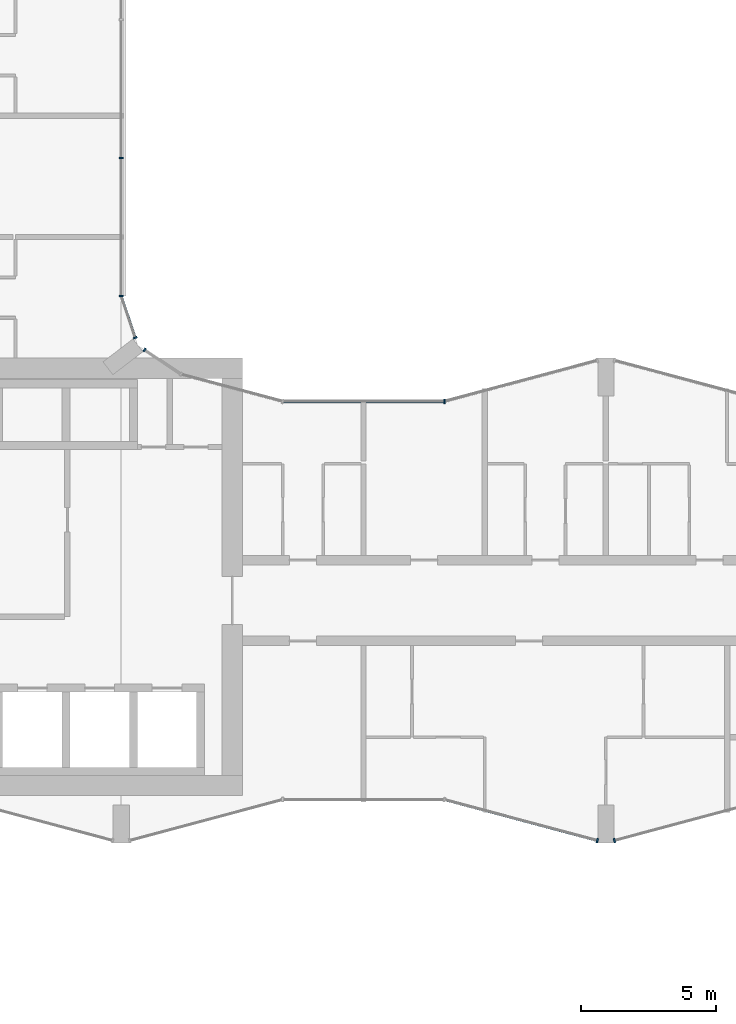
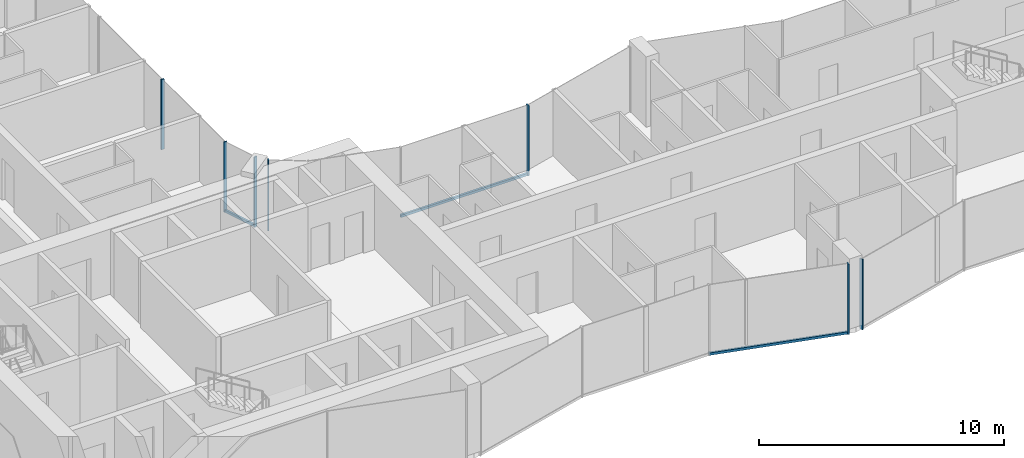
# One storey, part 4 of 24: 10 members, 6 elements without a shape of their own.
"""IFC4 building model written with IfcOpenShell, lengths in metres."""

import ifcopenshell
import ifcopenshell.guid

model = None  # the IFC model being written
_history = None  # IfcOwnerHistory: only IFC2X3 demands one
_inside = {}  # id of a spatial element -> (the spatial element, [elements in it])
_under = {}  # id of a project, library or spatial element -> (it, [spatial elements below it])
_declared = {}  # id of a project -> (the project, [libraries it declares])
_typed = {}  # id of a type object -> (the type object, [elements of that type])
_made_of = {}  # id of a material, layer set ... -> (it, [elements and type objects made of it])


def new_model(schema):
    """Start an empty IFC model of exactly this schema.

    Asked for "IFC4X3", IfcOpenShell would pick the latest addendum, in which some entities
    have other attributes; the version numbers below select the first issue.
    IFC2X3 requires an IfcOwnerHistory on every rooted entity: one is made here for all.
    """
    global model, _history
    if schema == "IFC4X3":
        model = ifcopenshell.file(schema_version=(4, 3, 0, 0))
    else:
        model = ifcopenshell.file(schema=schema)
    _inside.clear()
    _under.clear()
    _declared.clear()
    _typed.clear()
    _made_of.clear()
    _history = None
    if model.schema == "IFC2X3":
        org = make("IfcOrganization", Name="unknown")
        user = make(
            "IfcPersonAndOrganization",
            ThePerson=make("IfcPerson", FamilyName="unknown"),
            TheOrganization=org,
        )
        app = make(
            "IfcApplication",
            ApplicationDeveloper=org,
            Version="unknown",
            ApplicationFullName="unknown",
            ApplicationIdentifier="unknown",
        )
        _history = make(
            "IfcOwnerHistory",
            OwningUser=user,
            OwningApplication=app,
            ChangeAction="ADDED",
            CreationDate=0,
        )
    return model


def make(cls, **values):
    """One entity of the class cls with the attributes given. An attribute that is None is left unset."""
    return model.create_entity(
        cls, **{name: value for name, value in values.items() if value is not None}
    )


def rooted(cls, **values):
    """An entity with a GlobalId (a new one), such as an element, a storey or a relation."""
    return make(cls, GlobalId=ifcopenshell.guid.new(), OwnerHistory=_history, **values)


def si_unit(unit_type, name, prefix=None):
    """IfcSIUnit, for example si_unit("LENGTHUNIT", "METRE", prefix="MILLI")."""
    return make("IfcSIUnit", UnitType=unit_type, Prefix=prefix, Name=name)


def assignment(units):
    """IfcUnitAssignment: the units of a project."""
    return None if units is None else make("IfcUnitAssignment", Units=units)


def point(xyz):
    """IfcCartesianPoint."""
    return None if xyz is None else make("IfcCartesianPoint", Coordinates=xyz)


def direction(xyz):
    """IfcDirection."""
    return None if xyz is None else make("IfcDirection", DirectionRatios=xyz)


def frame(location, z_axis=None, x_axis=None):
    """IfcAxis2Placement3D, a coordinate frame: its origin and axes. An axis left out is left unset."""
    return make(
        "IfcAxis2Placement3D",
        Location=point(location),
        Axis=direction(z_axis),
        RefDirection=direction(x_axis),
    )


def frame_2d(location, x_axis=None):
    """IfcAxis2Placement2D, a coordinate frame in the plane: its origin and x axis."""
    return make(
        "IfcAxis2Placement2D", Location=point(location), RefDirection=direction(x_axis)
    )


def origin():
    """The frame at (0, 0, 0) with its axes left unset."""
    return frame((0.0, 0.0, 0.0))


def origin_2d():
    """The frame at (0, 0) in the plane with its x axis left unset."""
    return frame_2d((0.0, 0.0))


def place(relative_to, where):
    """IfcLocalPlacement: puts the frame where relative to a parent placement (None: the world)."""
    return make(
        "IfcLocalPlacement", PlacementRelTo=relative_to, RelativePlacement=where
    )


def context(
    kind, dimensions, precision=None, world=None, true_north=None, identifier=None
):
    """IfcGeometricRepresentationContext, for example the 3D "Model" context."""
    return make(
        "IfcGeometricRepresentationContext",
        ContextIdentifier=identifier,
        ContextType=kind,
        CoordinateSpaceDimension=dimensions,
        Precision=precision,
        WorldCoordinateSystem=world,
        TrueNorth=true_north,
    )


def subcontext(parent, identifier, kind, view, scale=None):
    """IfcGeometricRepresentationSubContext, for example "Body" below "Model"."""
    return make(
        "IfcGeometricRepresentationSubContext",
        ContextIdentifier=identifier,
        ContextType=kind,
        ParentContext=parent,
        TargetScale=scale,
        TargetView=view,
    )


def project(units=None, contexts=None):
    """IfcProject with its units and contexts."""
    return rooted(
        "IfcProject",
        Name="project",
        RepresentationContexts=contexts,
        UnitsInContext=assignment(units),
    )


def spatial(cls, under=None, at=None, **own):
    """A site, building, storey or space (cls), placed at a placement, below another one or the project."""
    s = rooted(cls, ObjectPlacement=at, **own)
    if under is not None:
        _under.setdefault(under.id(), (under, []))[1].append(s)
    return s


def profile(cls, at=None, kind="AREA", **sizes):
    """A parametric profile (cls). Its sizes go by their IFC names, for example OverallWidth=200.0."""
    return make(cls, ProfileType=kind, Position=at, **sizes)


def rectangle(**sizes):
    """IfcRectangleProfileDef."""
    return profile("IfcRectangleProfileDef", **sizes)


def extrude(swept, where, along, depth):
    """IfcExtrudedAreaSolid: the profile swept, set in the frame where, extruded along a direction by depth."""
    return make(
        "IfcExtrudedAreaSolid",
        SweptArea=swept,
        Position=where,
        ExtrudedDirection=direction(along),
        Depth=depth,
    )


def shape(context_of_items, identifier, shape_type, items):
    """IfcShapeRepresentation: the items that make up one representation, for example the "Body"."""
    return make(
        "IfcShapeRepresentation",
        ContextOfItems=context_of_items,
        RepresentationIdentifier=identifier,
        RepresentationType=shape_type,
        Items=items,
    )


def material(Name=None, Category=None):
    """IfcMaterial."""
    return make("IfcMaterial", Name=Name, Category=Category)


def layer(
    of_material, thickness, ventilated=None, Name=None, Category=None, Priority=None
):
    """IfcMaterialLayer: one layer of a wall or slab, of a material (None: an air gap)."""
    return make(
        "IfcMaterialLayer",
        Material=of_material,
        LayerThickness=thickness,
        IsVentilated=ventilated,
        Name=Name,
        Category=Category,
        Priority=Priority,
    )


def layer_set(layers, Name=None):
    """IfcMaterialLayerSet."""
    return make("IfcMaterialLayerSet", MaterialLayers=layers, LayerSetName=Name)


def material_profile(
    of_material, cross_section, Name=None, Category=None, Priority=None
):
    """IfcMaterialProfile: a cross section and its material."""
    return make(
        "IfcMaterialProfile",
        Name=Name,
        Material=of_material,
        Profile=cross_section,
        Priority=Priority,
        Category=Category,
    )


def profile_set(profiles, Name=None, composite=None):
    """IfcMaterialProfileSet."""
    return make(
        "IfcMaterialProfileSet",
        Name=Name,
        MaterialProfiles=profiles,
        CompositeProfile=composite,
    )


def made_of(thing, what):
    """Note that an element or type object is made of a material, layer set ...; save() writes the relation."""
    if what is not None:
        _made_of.setdefault(what.id(), (what, []))[1].append(thing)
    return thing


def type_object(cls, material=None, **own):
    """A type object (cls), such as IfcWallType, which elements share."""
    return made_of(rooted(cls, **own), material)


def element(
    cls,
    number,
    at=None,
    inside=None,
    cuts=None,
    type_object=None,
    material=None,
    context=None,
    identifier="Body",
    shape_type=None,
    held_by="IfcProductDefinitionShape",
    body=None,
    shapes=None,
    **own,
):
    """One element of the class cls, such as IfcWall. Its Tag is "e" and its number.

    at: its placement. inside: the storey or other place that contains it. cuts: it is an
    opening in that element (IfcRelVoidsElement). A single representation is given by context,
    identifier, shape_type and body (its items); several are given by shapes. held_by: the class
    of the entity that holds the representations. save() writes the other relations.
    """
    e = rooted(cls, Tag="e%d" % number, ObjectPlacement=at, **own)
    if body is not None:
        shapes = [shape(context, identifier, shape_type, body)]
    if shapes is not None:
        e.Representation = make(held_by, Representations=shapes)
    if inside is not None:
        _inside.setdefault(inside.id(), (inside, []))[1].append(e)
    if cuts is not None:
        rooted(
            "IfcRelVoidsElement", RelatingBuildingElement=cuts, RelatedOpeningElement=e
        )
    if type_object is not None:
        _typed.setdefault(type_object.id(), (type_object, []))[1].append(e)
    return made_of(e, material)


def aggregate(whole, parts):
    """IfcRelAggregates: a whole, such as a stair, and the parts it consists of."""
    return rooted("IfcRelAggregates", RelatingObject=whole, RelatedObjects=parts)


def save(model, path):
    """Write the relations noted so far, then the file.

    IfcRelAggregates (storeys below a building ...), IfcRelContainedInSpatialStructure (elements
    in a storey), IfcRelDefinesByType, IfcRelAssociatesMaterial and IfcRelDeclares: one each for
    every whole, place, type object, material and project.
    """
    for whole, parts in _under.values():
        aggregate(whole, parts)
    for where, things in _inside.values():
        rooted(
            "IfcRelContainedInSpatialStructure",
            RelatedElements=things,
            RelatingStructure=where,
        )
    for kind, things in _typed.values():
        rooted("IfcRelDefinesByType", RelatedObjects=things, RelatingType=kind)
    for what, things in _made_of.values():
        rooted("IfcRelAssociatesMaterial", RelatedObjects=things, RelatingMaterial=what)
    for by, libraries in _declared.values():
        rooted("IfcRelDeclares", RelatingContext=by, RelatedDefinitions=libraries)
    model.write(path)


model = new_model("IFC4")

# Units and contexts
model_context = context("Model", 3, precision=1e-05, world=origin(), true_north=direction((0.0, 1.0)))
body_context = subcontext(model_context, "Body", "Model", "MODEL_VIEW")
ifc_project = project(units=[si_unit("LENGTHUNIT", "METRE"), si_unit("AREAUNIT", "SQUARE_METRE"), si_unit("VOLUMEUNIT", "CUBIC_METRE"), si_unit("PLANEANGLEUNIT", "RADIAN"), si_unit("MASSUNIT", "GRAM", prefix="KILO")], contexts=[model_context])

# Site, building, storey
site_placement = place(None, origin())
site = spatial("IfcSite", under=ifc_project, at=site_placement, CompositionType="ELEMENT")
building_placement = place(site_placement, origin())
building = spatial("IfcBuilding", under=site, at=building_placement, Name="Plateau Cross Towers", CompositionType="ELEMENT")
storey_placement = place(building_placement, frame((0.0, 0.0, 51.300048828125)))
storey = spatial("IfcBuildingStorey", under=building, at=storey_placement, Name="L12", CompositionType="ELEMENT", Elevation=51.300048828125)

# Curtain wall, member
ifc_material_1 = material(Name="Dark low-iron glass", Category="glass")
ifc_layer_1 = layer(ifc_material_1, 0.239990234375)
ifc_layer_set_1 = layer_set([ifc_layer_1], Name="Dark low-iron glass")
curtain_wall_type_1 = type_object("IfcCurtainWallType", Name="Curtain wall flush unitised CW-B", PredefinedType="NOTDEFINED", material=ifc_layer_set_1)
curtain_wall_1_placement = place(storey_placement, origin())
curtain_wall_1 = element("IfcCurtainWall", 1, at=curtain_wall_1_placement, inside=storey, type_object=curtain_wall_type_1, Name="ENV/A/L12/A202_174", PredefinedType="NOTDEFINED")
ifc_material_2 = material(Name="Black anodised aluminium", Category="aluminium")
ifc_material_profile_1 = material_profile(ifc_material_2, rectangle(XDim=0.06005859375, YDim=0.139892578125, at=origin_2d()), Name="MULLION 60x140")
ifc_profile_set_1 = profile_set([ifc_material_profile_1], Name="Black anodised aluminium")
member_type_1 = type_object("IfcMemberType", Name="Mullion 60x140 flush unitised", PredefinedType="MULLION", material=ifc_profile_set_1)
member_1_placement = place(storey_placement, frame((18.86962890625, 18.30908203125, -0.25), z_axis=(0.0, 0.0, 1.0), x_axis=(-0.831521253329, 0.555492938984, 0.0)))
member_1 = element("IfcMember", 2, at=member_1_placement, type_object=member_type_1, Name="CW-B mullion 2", PredefinedType="MULLION", context=body_context, shape_type="SweptSolid", body=[
    extrude(rectangle(XDim=0.06005859375, YDim=0.139892578125, at=origin_2d()), origin(), (0.0, 0.0, 1.0), 3.5),
])
aggregate(curtain_wall_1, [member_1])

curtain_wall_2_placement = place(storey_placement, origin())
curtain_wall_2 = element("IfcCurtainWall", 3, at=curtain_wall_2_placement, inside=storey, type_object=curtain_wall_type_1, Name="ENV/A/L12/A185_188", PredefinedType="NOTDEFINED")
member_2_placement = place(storey_placement, frame((18.523681640625, 18.760009765625, -0.25), z_axis=(0.0, 0.0, 1.0), x_axis=(-0.321469161574, 0.94692004845, 0.0)))
member_2 = element("IfcMember", 4, at=member_2_placement, type_object=member_type_1, Name="CW-B mullion 1", PredefinedType="MULLION", context=body_context, shape_type="SweptSolid", body=[
    extrude(rectangle(XDim=0.06005859375, YDim=0.139892578125, at=origin_2d()), origin(), (0.0, 0.0, 1.0), 3.5),
])

# Curtain wall, members
curtain_wall_3_placement = place(storey_placement, origin())
curtain_wall_3 = element("IfcCurtainWall", 5, at=curtain_wall_3_placement, inside=storey, type_object=curtain_wall_type_1, Name="ENV/A/L12/A180_203", PredefinedType="NOTDEFINED")
member_3_placement = place(storey_placement, frame((18.0, 20.30224609375, -0.25), z_axis=(0.0, 0.0, 1.0), x_axis=(0.0, 1.0, 0.0)))
member_3 = element("IfcMember", 6, at=member_3_placement, type_object=member_type_1, Name="CW-B mullion 1", PredefinedType="MULLION", context=body_context, shape_type="SweptSolid", body=[
    extrude(rectangle(XDim=0.06005859375, YDim=0.139892578125, at=origin_2d()), origin(), (0.0, 0.0, 1.0), 3.5),
])
member_4_placement = place(storey_placement, frame((18.0, 25.434814453125, -0.25), z_axis=(0.0, 0.0, 1.0), x_axis=(0.0, 1.0, 0.0)))
member_4 = element("IfcMember", 7, at=member_4_placement, type_object=member_type_1, Name="CW-B mullion 2", PredefinedType="MULLION", context=body_context, shape_type="SweptSolid", body=[
    extrude(rectangle(XDim=0.06005859375, YDim=0.139892578125, at=origin_2d()), origin(), (0.0, 0.0, 1.0), 3.5),
])
aggregate(curtain_wall_3, [member_3, member_4])

# Curtain wall, member
ifc_layer_2 = layer(ifc_material_1, 0.260009765625)
ifc_layer_set_2 = layer_set([ifc_layer_2], Name="Dark low-iron glass")
curtain_wall_type_2 = type_object("IfcCurtainWallType", Name="Curtain wall fluted unitised CW-A", PredefinedType="NOTDEFINED", material=ifc_layer_set_2)
curtain_wall_4_placement = place(storey_placement, origin())
curtain_wall_4 = element("IfcCurtainWall", 8, at=curtain_wall_4_placement, inside=storey, type_object=curtain_wall_type_2, Name="ENV/A/L12/A300_16", PredefinedType="NOTDEFINED")
ifc_material_profile_2 = material_profile(ifc_material_2, rectangle(XDim=0.06005859375, YDim=0.159912109375, at=origin_2d()), Name="MULLION 60x160")
ifc_profile_set_2 = profile_set([ifc_material_profile_2], Name="Black anodised aluminium")
member_type_2 = type_object("IfcMemberType", Name="Mullion 60x160 fluted unitised", PredefinedType="MULLION", material=ifc_profile_set_2)
member_5_placement = place(storey_placement, frame((35.68212890625, 0.085205078125, -0.25), z_axis=(0.0, 0.0, 1.0), x_axis=(0.965957983404, -0.258699003279, 0.0)))
member_5 = element("IfcMember", 9, at=member_5_placement, type_object=member_type_2, Name="CW-A mullion 2", PredefinedType="MULLION", context=body_context, shape_type="SweptSolid", body=[
    extrude(rectangle(XDim=0.06005859375, YDim=0.159912109375, at=origin_2d()), origin(), (0.0, 0.0, 1.0), 3.5),
])

curtain_wall_5_placement = place(storey_placement, origin())
curtain_wall_5 = element("IfcCurtainWall", 10, at=curtain_wall_5_placement, inside=storey, type_object=curtain_wall_type_2, Name="ENV/A/L12/A363_1", PredefinedType="NOTDEFINED")
member_6_placement = place(storey_placement, frame((36.31787109375, 0.085205078125, -0.25), z_axis=(0.0, 0.0, 1.0), x_axis=(0.965957983404, 0.258699003279, 0.0)))
member_6 = element("IfcMember", 11, at=member_6_placement, type_object=member_type_2, Name="CW-A mullion 1", PredefinedType="MULLION", context=body_context, shape_type="SweptSolid", body=[
    extrude(rectangle(XDim=0.06005859375, YDim=0.159912109375, at=origin_2d()), origin(), (0.0, 0.0, 1.0), 3.5),
])
aggregate(curtain_wall_5, [member_6])

curtain_wall_6_placement = place(storey_placement, origin())
curtain_wall_6 = element("IfcCurtainWall", 12, at=curtain_wall_6_placement, inside=storey, type_object=curtain_wall_type_2, Name="ENV/A/L12/A300_164", PredefinedType="NOTDEFINED")
member_7_placement = place(storey_placement, frame((30.0, 16.39306640625, -0.25), z_axis=(0.0, 0.0, 1.0), x_axis=(-1.0, 0.0, 0.0)))
member_7 = element("IfcMember", 13, at=member_7_placement, type_object=member_type_2, Name="CW-A mullion 1", PredefinedType="MULLION", context=body_context, shape_type="SweptSolid", body=[
    extrude(rectangle(XDim=0.06005859375, YDim=0.159912109375, at=origin_2d()), origin(), (0.0, 0.0, 1.0), 3.5),
])

# Member
ifc_material_profile_3 = material_profile(ifc_material_2, rectangle(XDim=0.10009765625, YDim=0.1201171875, at=origin_2d()), Name="TRANSOM 100x120")
ifc_profile_set_3 = profile_set([ifc_material_profile_3], Name="Black anodised aluminium")
member_type_3 = type_object("IfcMemberType", Name="Transom 100x120 flush unitised", PredefinedType="USERDEFINED", material=ifc_profile_set_3)
member_8_placement = place(storey_placement, frame((18.523681640625, 18.760009765625, -0.18994140625), z_axis=(-0.321529174838, 0.946899672472, 0.0), x_axis=(-0.946899672472, -0.321529174838, 0.0)))
member_8 = element("IfcMember", 14, at=member_8_placement, type_object=member_type_3, Name="CW-B transom", ObjectType="TRANSOM", PredefinedType="USERDEFINED", context=body_context, shape_type="SweptSolid", body=[
    extrude(rectangle(XDim=0.10009765625, YDim=0.1201171875, at=origin_2d()), origin(), (0.0, 0.0, 1.0), 1.628662109375),
])

aggregate(curtain_wall_2, [member_2, member_8])

ifc_material_profile_4 = material_profile(ifc_material_2, rectangle(XDim=0.10009765625, YDim=0.1201171875, at=origin_2d()), Name="TRANSOM 100x120")
ifc_profile_set_4 = profile_set([ifc_material_profile_4], Name="Black anodised aluminium")
member_type_4 = type_object("IfcMemberType", Name="Transom 100x120 fluted unitised", PredefinedType="USERDEFINED", material=ifc_profile_set_4)
member_9_placement = place(storey_placement, frame((30.0, 1.60693359375, -0.18994140625), z_axis=(0.965959534794, -0.258693210465, 0.0), x_axis=(0.258693210465, 0.965959534794, 0.0)))
member_9 = element("IfcMember", 15, at=member_9_placement, type_object=member_type_4, Name="CW-A transom", ObjectType="TRANSOM", PredefinedType="USERDEFINED", context=body_context, shape_type="SweptSolid", body=[
    extrude(rectangle(XDim=0.10009765625, YDim=0.1201171875, at=origin_2d()), origin(), (0.0, 0.0, 1.0), 5.88232421875),
])

aggregate(curtain_wall_4, [member_5, member_9])

member_10_placement = place(storey_placement, frame((30.0, 16.39306640625, -0.18994140625), z_axis=(-1.0, 0.0, 0.0), x_axis=(0.0, -1.0, 0.0)))
member_10 = element("IfcMember", 16, at=member_10_placement, type_object=member_type_4, Name="CW-A transom", ObjectType="TRANSOM", PredefinedType="USERDEFINED", context=body_context, shape_type="SweptSolid", body=[
    extrude(rectangle(XDim=0.10009765625, YDim=0.1201171875, at=origin_2d()), origin(), (0.0, 0.0, 1.0), 6.0),
])

aggregate(curtain_wall_6, [member_7, member_10])

save(model, "model.ifc")
